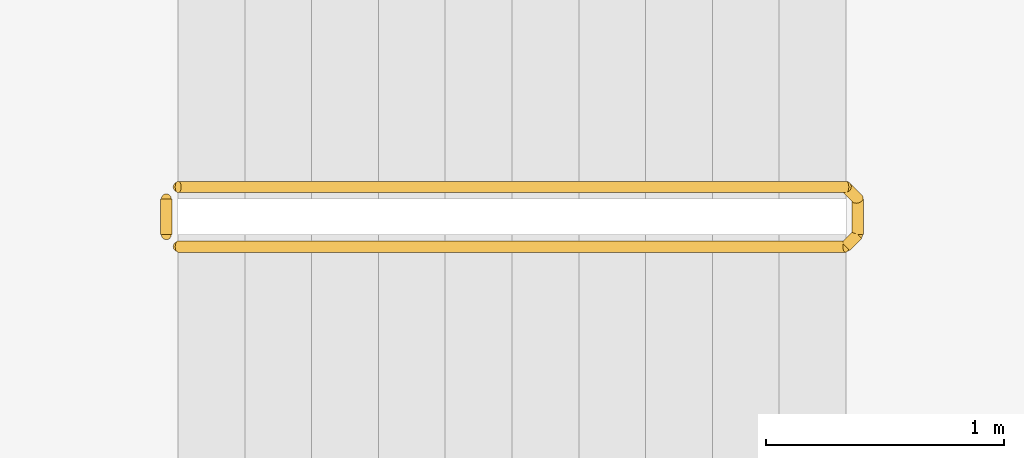
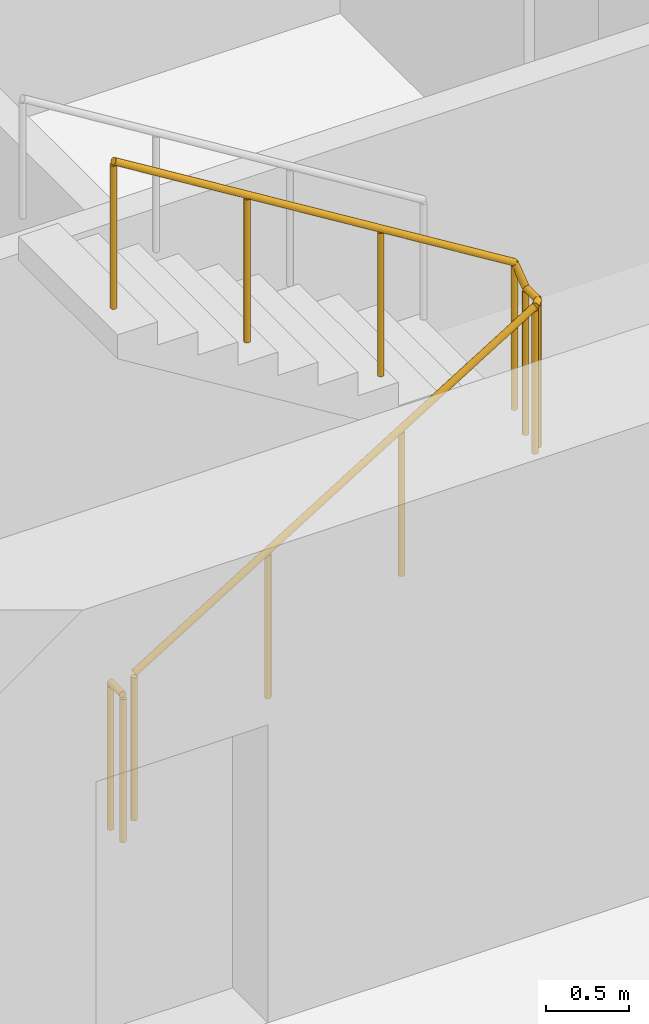
# One storey, part 10 of 14: 2 railings.
"""IFC4 building model written with IfcOpenShell, lengths in metres."""

from ifc_helpers import new_model, si_unit, direction, frame, origin, origin_2d, place, context, subcontext, project, spatial, circle, extrude, material, type_object, element, save


model = new_model("IFC4")

# Units and contexts
model_context = context("Model", 3, precision=1e-05, world=origin(), true_north=direction((0.0, 1.0)))
body_context = subcontext(model_context, "Body", "Model", "MODEL_VIEW")
ifc_project = project(units=[si_unit("LENGTHUNIT", "METRE"), si_unit("AREAUNIT", "SQUARE_METRE"), si_unit("VOLUMEUNIT", "CUBIC_METRE"), si_unit("PLANEANGLEUNIT", "RADIAN"), si_unit("MASSUNIT", "GRAM", prefix="KILO")], contexts=[model_context])

# Site, building, storey
site_placement = place(None, origin())
site = spatial("IfcSite", under=ifc_project, at=site_placement, CompositionType="ELEMENT")
building_placement = place(site_placement, origin())
building = spatial("IfcBuilding", under=site, at=building_placement, Name="Orbiselva Terraces", CompositionType="ELEMENT")
storey_placement = place(building_placement, frame((0.0, 0.0, 56.8)))
storey = spatial("IfcBuildingStorey", under=building, at=storey_placement, Name="L14", CompositionType="ELEMENT", Elevation=56.8)

# Railings
ifc_material = material(Name="Stainless steel", Category="steel")
railing_type = type_object("IfcRailingType", Name="CORE-GUARD-1100", PredefinedType="GUARDRAIL", material=ifc_material)
railing_1_placement = place(storey_placement, frame((-7.15, 6.55, 0.172727)))
element("IfcRailing", 1, at=railing_1_placement, inside=storey, type_object=railing_type, Name="L14 S3 stair guard 1", PredefinedType="GUARDRAIL", context=body_context, shape_type="SweptSolid", body=[
    extrude(circle(Radius=0.024, at=origin_2d()), frame((0.0, 0.0, 1.081), z_axis=(0.851088519012, 0.0, 0.52502222125), x_axis=(0.0, 1.0, 0.0)), (0.0, 0.0, 1.0), 3.289905),
    extrude(circle(Radius=0.024, at=origin_2d()), frame((2.8, 0.0, 2.808273), z_axis=(0.707106781187, 0.707106781187, 0.0), x_axis=(-0.707106781187, 0.707106781187, 0.0)), (0.0, 0.0, 1.0), 0.070711),
    extrude(circle(Radius=0.024, at=origin_2d()), frame((2.85, 0.05, 2.808273), z_axis=(0.0, 1.0, 0.0), x_axis=(-1.0, 0.0, 0.0)), (0.0, 0.0, 1.0), 0.15),
    extrude(circle(Radius=0.024, at=origin_2d()), frame((2.85, 0.2, 2.808273), z_axis=(-0.267894925557, 0.267894925557, 0.925453736133), x_axis=(-0.707106781187, -0.707106781187, 0.0)), (0.0, 0.0, 1.0), 0.18664),
    extrude(circle(Radius=0.024, at=origin_2d()), frame((2.8, 0.25, 2.981), z_axis=(-0.851088519012, 0.0, 0.52502222125), x_axis=(0.0, -1.0, 0.0)), (0.0, 0.0, 1.0), 3.289905),
    extrude(circle(Radius=0.021, at=origin_2d()), origin(), (0.0, 0.0, 1.0), 1.057),
    extrude(circle(Radius=0.021, at=origin_2d()), frame((0.933333, 0.0, 0.575758)), (0.0, 0.0, 1.0), 1.057),
    extrude(circle(Radius=0.021, at=origin_2d()), frame((1.866667, 0.0, 1.151515)), (0.0, 0.0, 1.0), 1.057),
    extrude(circle(Radius=0.021, at=origin_2d()), frame((2.8, 0.0, 1.727273)), (0.0, 0.0, 1.0), 1.057),
    extrude(circle(Radius=0.021, at=origin_2d()), frame((2.85, 0.05, 1.727273)), (0.0, 0.0, 1.0), 1.057),
    extrude(circle(Radius=0.021, at=origin_2d()), frame((2.85, 0.2, 1.727273)), (0.0, 0.0, 1.0), 1.057),
    extrude(circle(Radius=0.021, at=origin_2d()), frame((2.8, 0.25, 1.9)), (0.0, 0.0, 1.0), 1.057),
    extrude(circle(Radius=0.021, at=origin_2d()), frame((1.866667, 0.25, 2.475758)), (0.0, 0.0, 1.0), 1.057),
    extrude(circle(Radius=0.021, at=origin_2d()), frame((0.933333, 0.25, 3.051515)), (0.0, 0.0, 1.0), 1.057),
    extrude(circle(Radius=0.021, at=origin_2d()), frame((0.0, 0.25, 3.627273)), (0.0, 0.0, 1.0), 1.057),
])
railing_2_placement = place(storey_placement, frame((-7.2, 6.6, 0.0)))
element("IfcRailing", 2, at=railing_2_placement, inside=storey, type_object=railing_type, Name="L14 S3 stair guard 2", PredefinedType="GUARDRAIL", context=body_context, shape_type="SweptSolid", body=[
    extrude(circle(Radius=0.024, at=origin_2d()), frame((0.0, 0.0, 1.081), z_axis=(0.0, 1.0, 0.0), x_axis=(-1.0, 0.0, 0.0)), (0.0, 0.0, 1.0), 0.15),
    extrude(circle(Radius=0.021, at=origin_2d()), origin(), (0.0, 0.0, 1.0), 1.057),
    extrude(circle(Radius=0.021, at=origin_2d()), frame((0.0, 0.15, 0.0)), (0.0, 0.0, 1.0), 1.057),
])

save(model, "model.ifc")
